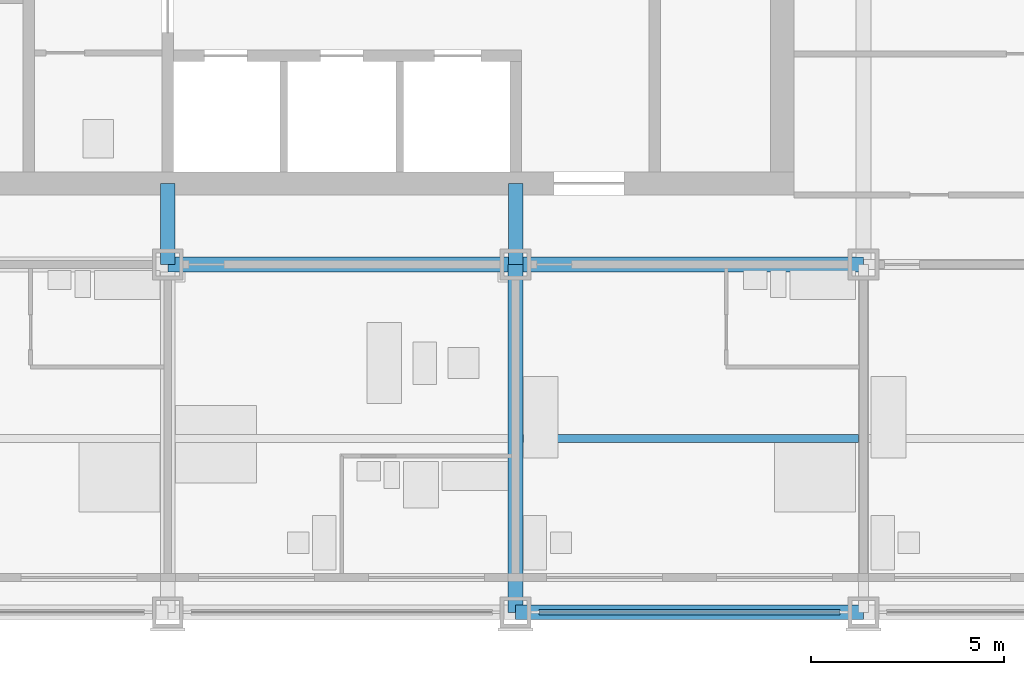
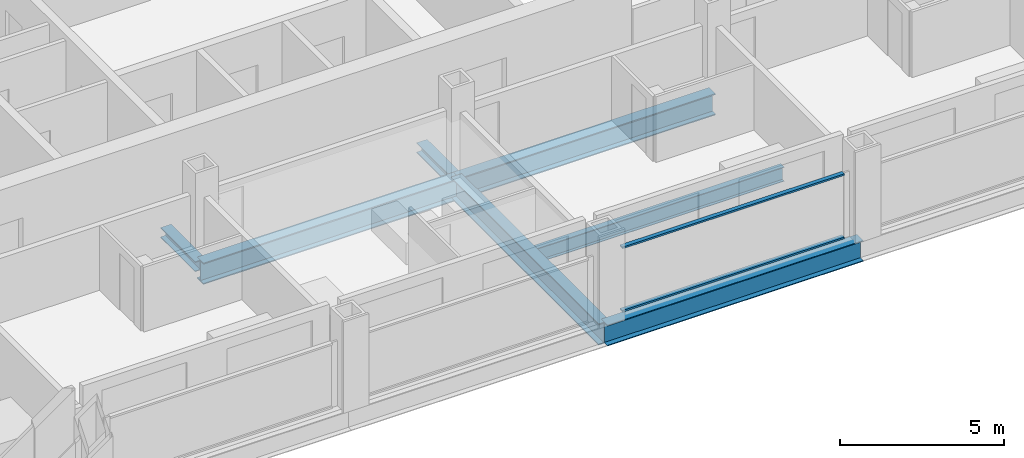
# One storey, part 3 of 18: 5 beams, 4 members, 1 element without a shape of its own.
"""IFC4 building model written with IfcOpenShell, lengths in metres."""

from ifc_helpers import new_model, si_unit, direction, frame, origin, origin_2d, place, context, subcontext, project, spatial, rectangle, i_section, extrude, material, material_profile, profile_set, type_object, element, aggregate, save


model = new_model("IFC4")

# Units and contexts
model_context = context("Model", 3, precision=1e-05, world=origin(), true_north=direction((0.0, 1.0)))
body_context = subcontext(model_context, "Body", "Model", "MODEL_VIEW")
ifc_project = project(units=[si_unit("LENGTHUNIT", "METRE"), si_unit("AREAUNIT", "SQUARE_METRE"), si_unit("VOLUMEUNIT", "CUBIC_METRE"), si_unit("PLANEANGLEUNIT", "RADIAN"), si_unit("MASSUNIT", "GRAM", prefix="KILO")], contexts=[model_context])

# Site, building, storey
site_placement = place(None, origin())
site = spatial("IfcSite", under=ifc_project, at=site_placement, CompositionType="ELEMENT")
building_placement = place(site_placement, origin())
building = spatial("IfcBuilding", under=site, at=building_placement, Name="Loomwork Tower", CompositionType="ELEMENT")
storey_placement = place(building_placement, frame((0.0, 0.0, 45.0)))
storey = spatial("IfcBuildingStorey", under=building, at=storey_placement, Name="L10", CompositionType="ELEMENT", Elevation=45.0)

# Beams
ifc_material_1 = material(Name="Steel ASTM A992", Category="steel")
ifc_material_profile_1 = material_profile(ifc_material_1, i_section(OverallWidth=0.383544921875, OverallDepth=0.794921875, WebThickness=0.02099609375, FlangeThickness=0.0380859375, at=origin_2d()), Name="W30x235")
ifc_profile_set_1 = profile_set([ifc_material_profile_1], Name="Steel ASTM A992")
beam_type_1 = type_object("IfcBeamType", Name="CORE FLANK GIRDER W30x235", PredefinedType="BEAM", material=ifc_profile_set_1)
for number, where, z_axis, x_axis, name in (
    (1, (18.0, 9.0, -0.597412109375), (1.0, 0.0, 0.0), (0.0, 1.0, 0.0), "Core Flank Girder E/4-E/5 L10"),
    (2, (27.0, 9.0, -0.597412109375), (1.0, 0.0, 0.0), (0.0, 1.0, 0.0), "Core Flank Girder E/5-E/6 L10"),
    (3, (27.0, 0.0, -0.597412109375), (0.0, 1.0, 0.0), (-1.0, 0.0, 0.0), "Core Flank Girder D/5-E/5 L10"),
):
    element("IfcBeam", number, at=place(storey_placement, frame(where, z_axis=z_axis, x_axis=x_axis)), inside=storey, type_object=beam_type_1, Name=name, PredefinedType="BEAM", context=body_context, shape_type="SweptSolid", body=[
        extrude(i_section(OverallWidth=0.383544921875, OverallDepth=0.794921875, WebThickness=0.02099609375, FlangeThickness=0.0380859375, at=origin_2d()), origin(), (0.0, 0.0, 1.0), 9.0),
    ])

# Members
ifc_material_2 = material(Name="Steel ASTM A992", Category="steel")
ifc_material_profile_2 = material_profile(ifc_material_2, i_section(OverallWidth=0.373291015625, OverallDepth=0.373291015625, WebThickness=0.016357421875, FlangeThickness=0.026123046875, at=origin_2d()), Name="W14x132")
ifc_profile_set_2 = profile_set([ifc_material_profile_2], Name="Steel ASTM A992")
member_type_1 = type_object("IfcMemberType", Name="CORE LINK STRUT W14x132", PredefinedType="STRUT", material=ifc_profile_set_2)
for number, where, z_axis, x_axis, name in (
    (4, (27.0, 9.0, -0.38671875), (0.0, 1.0, 0.0), (-1.0, 0.0, 0.0), "Core link strut E/5-27.000,11.100 L10"),
    (5, (18.0, 9.0, -0.38671875), (0.0, 1.0, 0.0), (-1.0, 0.0, 0.0), "Core link strut E/4-18.000,11.100 L10"),
):
    element("IfcMember", number, at=place(storey_placement, frame(where, z_axis=z_axis, x_axis=x_axis)), inside=storey, type_object=member_type_1, Name=name, PredefinedType="STRUT", context=body_context, shape_type="SweptSolid", body=[
        extrude(i_section(OverallWidth=0.373291015625, OverallDepth=0.373291015625, WebThickness=0.016357421875, FlangeThickness=0.026123046875, at=origin_2d()), origin(), (0.0, 0.0, 1.0), 2.10009765625),
    ])

# Beam
ifc_material_3 = material(Name="Steel ASTM A992", Category="steel")
ifc_material_profile_3 = material_profile(ifc_material_3, i_section(OverallWidth=0.2109375, OverallDepth=0.53857421875, WebThickness=0.011474609375, FlangeThickness=0.018798828125, at=origin_2d()), Name="W21x73")
ifc_profile_set_3 = profile_set([ifc_material_profile_3], Name="Steel ASTM A992")
beam_type_2 = type_object("IfcBeamType", Name="FLOOR JOIST W21x73", PredefinedType="JOIST", material=ifc_profile_set_3)
beam_1_placement = place(storey_placement, frame((27.19091796875, 4.5, -0.46923828125), z_axis=(1.0, 0.0, 0.0), x_axis=(0.0, 1.0, 0.0)))
element("IfcBeam", 6, at=beam_1_placement, inside=storey, type_object=beam_type_2, Name="Floor Joist 27.000,4.500-36.000,4.500 L10", PredefinedType="JOIST", context=body_context, shape_type="SweptSolid", body=[
    extrude(i_section(OverallWidth=0.2109375, OverallDepth=0.53857421875, WebThickness=0.011474609375, FlangeThickness=0.018798828125, at=origin_2d()), origin(), (0.0, 0.0, 1.0), 8.676025390625),
])

# Curtain wall, members
ifc_material_4 = material(Name="Aluminium curtain wall frame", Category="aluminium")
curtain_wall_type = type_object("IfcCurtainWallType", Name="Outer skin glazing hotel", PredefinedType="NOTDEFINED", material=ifc_material_4)
curtain_wall_placement = place(storey_placement, origin())
curtain_wall = element("IfcCurtainWall", 7, at=curtain_wall_placement, inside=storey, type_object=curtain_wall_type, Name="Outer skin glazing hotel cw/S-27", PredefinedType="NOTDEFINED")
ifc_material_5 = material(Name="Aluminium curtain wall frame", Category="aluminium")
ifc_material_profile_4 = material_profile(ifc_material_5, rectangle(XDim=0.14990234375, YDim=0.06494140625, at=origin_2d()), Name="AL 65x150")
ifc_profile_set_4 = profile_set([ifc_material_profile_4], Name="Aluminium curtain wall frame")
member_type_2 = type_object("IfcMemberType", Name="Outer skin glazing hotel transom", PredefinedType="USERDEFINED", material=ifc_profile_set_4)
member_1_placement = place(storey_placement, frame((27.60009765625, 0.0, 0.032470703125), z_axis=(1.0, 0.0, 0.0), x_axis=(0.0, 1.0, 0.0)))
member_1 = element("IfcMember", 8, at=member_1_placement, type_object=member_type_2, Name="CW1 transom 1.1", ObjectType="TRANSOM", PredefinedType="USERDEFINED", context=body_context, shape_type="SweptSolid", body=[
    extrude(rectangle(XDim=0.14990234375, YDim=0.06494140625, at=origin_2d()), origin(), (0.0, 0.0, 1.0), 7.7998046875),
])
member_2_placement = place(storey_placement, frame((27.60009765625, 0.0, 2.3876953125), z_axis=(1.0, 0.0, 0.0), x_axis=(0.0, 1.0, 0.0)))
member_2 = element("IfcMember", 9, at=member_2_placement, type_object=member_type_2, Name="CW1 transom 1.2", ObjectType="TRANSOM", PredefinedType="USERDEFINED", context=body_context, shape_type="SweptSolid", body=[
    extrude(rectangle(XDim=0.14990234375, YDim=0.06494140625, at=origin_2d()), origin(), (0.0, 0.0, 1.0), 7.7998046875),
])
aggregate(curtain_wall, [member_1, member_2])

# Beam
ifc_material_6 = material(Name="Steel ASTM A992", Category="steel")
ifc_material_profile_5 = material_profile(ifc_material_6, i_section(OverallWidth=0.381103515625, OverallDepth=0.77978515625, WebThickness=0.01806640625, FlangeThickness=0.0302734375, at=origin_2d()), Name="W30x191")
ifc_profile_set_5 = profile_set([ifc_material_profile_5], Name="Steel ASTM A992")
beam_type_3 = type_object("IfcBeamType", Name="SPANDREL GIRDER W30x191", PredefinedType="SPANDREL", material=ifc_profile_set_5)
beam_2_placement = place(storey_placement, frame((27.0, 0.0, -0.58984375), z_axis=(1.0, 0.0, 0.0), x_axis=(0.0, 1.0, 0.0)))
element("IfcBeam", 10, at=beam_2_placement, inside=storey, type_object=beam_type_3, Name="Spandrel Girder D/5-D/6 L10", PredefinedType="SPANDREL", context=body_context, shape_type="SweptSolid", body=[
    extrude(i_section(OverallWidth=0.381103515625, OverallDepth=0.77978515625, WebThickness=0.01806640625, FlangeThickness=0.0302734375, at=origin_2d()), origin(), (0.0, 0.0, 1.0), 9.0),
])

save(model, "model.ifc")
